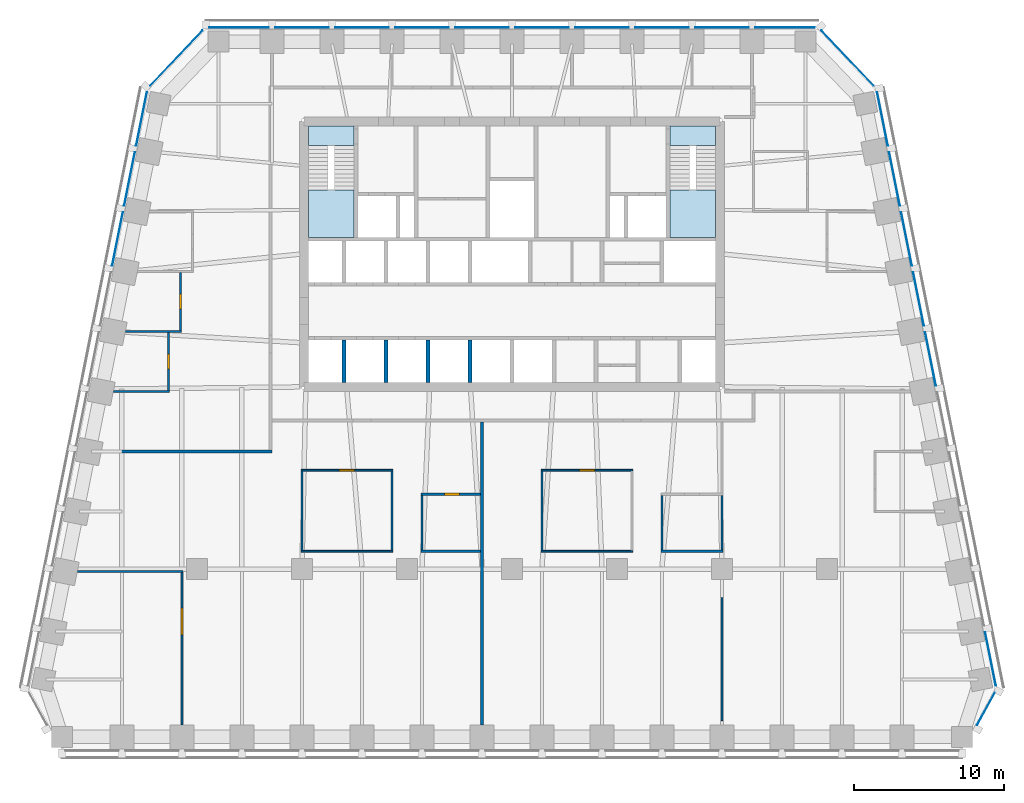
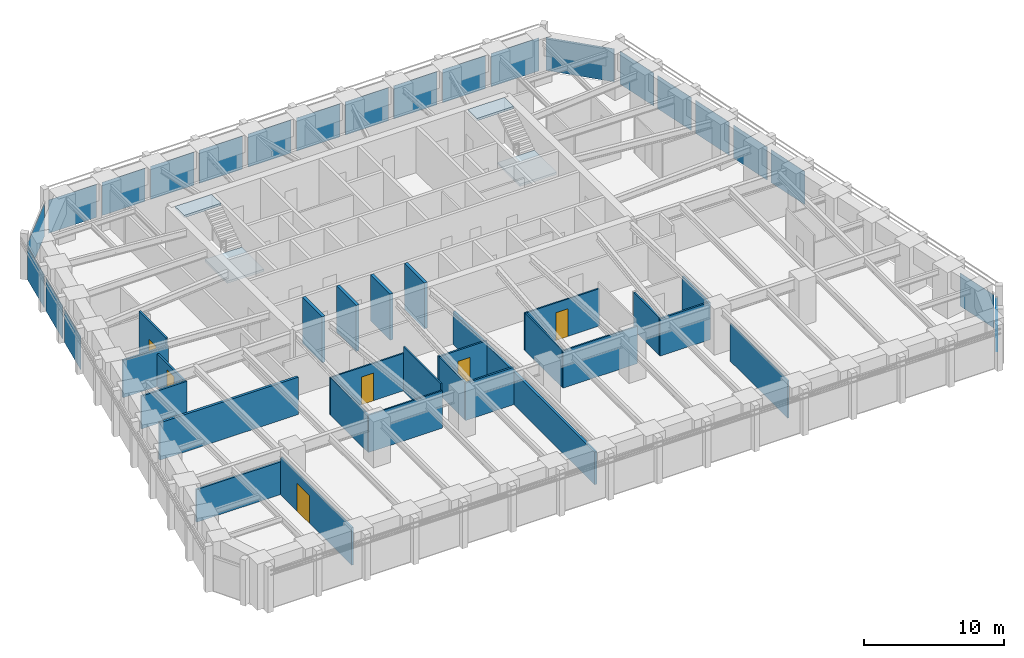
# One storey, part 5 of 10: 26 walls, 22 plates, 6 doors, 4 slabs, 6 openings, 8 elements without a shape of their own.
"""IFC4 building model written with IfcOpenShell, lengths in metres."""

from ifc_helpers import new_model, si_unit, direction, frame, frame_2d, origin, origin_2d, place, context, subcontext, project, spatial, polyline, rectangle, outline, extrude, material, layer, layer_set, type_object, element, fill, aggregate, save


model = new_model("IFC4")

# Units and contexts
model_context = context("Model", 3, precision=1e-05, world=origin(), true_north=direction((0.0, 1.0)))
body_context = subcontext(model_context, "Body", "Model", "MODEL_VIEW")
ifc_project = project(units=[si_unit("LENGTHUNIT", "METRE"), si_unit("AREAUNIT", "SQUARE_METRE"), si_unit("VOLUMEUNIT", "CUBIC_METRE"), si_unit("PLANEANGLEUNIT", "RADIAN"), si_unit("MASSUNIT", "GRAM", prefix="KILO")], contexts=[model_context])

# Site, building, storey
site_placement = place(None, origin())
site = spatial("IfcSite", under=ifc_project, at=site_placement, CompositionType="ELEMENT")
building_placement = place(site_placement, origin())
building = spatial("IfcBuilding", under=site, at=building_placement, Name="Isbrekke Arena Tower", CompositionType="ELEMENT")
storey_placement = place(building_placement, frame((0.0, 0.0, 226.0)))
storey = spatial("IfcBuildingStorey", under=building, at=storey_placement, Name="L52", CompositionType="ELEMENT", Elevation=226.0)

# Curtain wall, plate
ifc_material_1 = material(Name="Glazed aluminium curtain wall", Category="aluminium")
curtain_wall_type = type_object("IfcCurtainWallType", Name="CWH TOWER CURTAIN WALL HIGH ZONE", PredefinedType="USERDEFINED", material=ifc_material_1)
curtain_wall_1_placement = place(storey_placement, origin())
curtain_wall_1 = element("IfcCurtainWall", 1, at=curtain_wall_1_placement, inside=storey, type_object=curtain_wall_type, Name="CWH curtain wall L52-SE", ObjectType="TOWER CURTAIN WALL HIGH ZONE", PredefinedType="USERDEFINED")
ifc_material_2 = material(Name="Triple-glazed clear glass unit", Category="glass")
ifc_layer_1 = layer(ifc_material_2, 0.031982421875)
ifc_layer_set_1 = layer_set([ifc_layer_1], Name="CWH-P VISION PANEL")
plate_type = type_object("IfcPlateType", Name="CWH-P VISION PANEL", PredefinedType="CURTAIN_PANEL", material=ifc_layer_set_1)
plate_1_placement = place(storey_placement, frame((31.5908203125, -15.3154296875, 0.02001953125), z_axis=(0.0, 0.0, 1.0), x_axis=(0.481918749773, 0.876215908676, 0.0)))
plate_1 = element("IfcPlate", 2, at=plate_1_placement, type_object=plate_type, Name="CWH-P panel 1", PredefinedType="CURTAIN_PANEL", context=body_context, shape_type="SweptSolid", body=[
    extrude(rectangle(XDim=2.4423828125, YDim=0.031982421875, at=origin_2d()), origin(), (0.0, 0.0, 1.0), 2.8798828125),
])
aggregate(curtain_wall_1, [plate_1])

# Curtain wall, plates
curtain_wall_2_placement = place(storey_placement, origin())
curtain_wall_2 = element("IfcCurtainWall", 3, at=curtain_wall_2_placement, inside=storey, type_object=curtain_wall_type, Name="CWH curtain wall L52-E", ObjectType="TOWER CURTAIN WALL HIGH ZONE", PredefinedType="USERDEFINED")
plate_2_placement = place(storey_placement, frame((31.89794921875, -11.98046875, 0.02001953125), z_axis=(0.0, 0.0, 1.0), x_axis=(-0.196116135138, 0.980580675691, 0.0)))
plate_2 = element("IfcPlate", 4, at=plate_2_placement, type_object=plate_type, Name="CWH-P panel 1", PredefinedType="CURTAIN_PANEL", context=body_context, shape_type="SweptSolid", body=[
    extrude(rectangle(XDim=3.629150390625, YDim=0.031982421875, at=origin_2d()), origin(), (0.0, 0.0, 1.0), 2.8798828125),
])
plate_3_placement = place(storey_placement, frame((27.89794921875, 8.01953125, 0.02001953125), z_axis=(0.0, 0.0, 1.0), x_axis=(-0.196116135138, 0.980580675691, 0.0)))
plate_3 = element("IfcPlate", 5, at=plate_3_placement, type_object=plate_type, Name="CWH-P panel 6", PredefinedType="CURTAIN_PANEL", context=body_context, shape_type="SweptSolid", body=[
    extrude(rectangle(XDim=3.629150390625, YDim=0.031982421875, at=origin_2d()), origin(), (0.0, 0.0, 1.0), 2.8798828125),
])
plate_4_placement = place(storey_placement, frame((27.09814453125, 12.01953125, 0.02001953125), z_axis=(0.0, 0.0, 1.0), x_axis=(-0.196116135138, 0.980580675691, 0.0)))
plate_4 = element("IfcPlate", 6, at=plate_4_placement, type_object=plate_type, Name="CWH-P panel 7", PredefinedType="CURTAIN_PANEL", context=body_context, shape_type="SweptSolid", body=[
    extrude(rectangle(XDim=3.629150390625, YDim=0.031982421875, at=origin_2d()), origin(), (0.0, 0.0, 1.0), 2.8798828125),
])
plate_5_placement = place(storey_placement, frame((26.298095703125, 16.01953125, 0.02001953125), z_axis=(0.0, 0.0, 1.0), x_axis=(-0.196116135138, 0.980580675691, 0.0)))
plate_5 = element("IfcPlate", 7, at=plate_5_placement, type_object=plate_type, Name="CWH-P panel 8", PredefinedType="CURTAIN_PANEL", context=body_context, shape_type="SweptSolid", body=[
    extrude(rectangle(XDim=3.629150390625, YDim=0.031982421875, at=origin_2d()), origin(), (0.0, 0.0, 1.0), 2.8798828125),
])
plate_6_placement = place(storey_placement, frame((25.498046875, 20.01953125, 0.02001953125), z_axis=(0.0, 0.0, 1.0), x_axis=(-0.196116135138, 0.980580675691, 0.0)))
plate_6 = element("IfcPlate", 8, at=plate_6_placement, type_object=plate_type, Name="CWH-P panel 9", PredefinedType="CURTAIN_PANEL", context=body_context, shape_type="SweptSolid", body=[
    extrude(rectangle(XDim=3.629150390625, YDim=0.031982421875, at=origin_2d()), origin(), (0.0, 0.0, 1.0), 2.8798828125),
])
plate_7_placement = place(storey_placement, frame((24.697998046875, 24.01953125, 0.02001953125), z_axis=(0.0, 0.0, 1.0), x_axis=(-0.196116135138, 0.980580675691, 0.0)))
plate_7 = element("IfcPlate", 9, at=plate_7_placement, type_object=plate_type, Name="CWH-P panel 10", PredefinedType="CURTAIN_PANEL", context=body_context, shape_type="SweptSolid", body=[
    extrude(rectangle(XDim=3.629150390625, YDim=0.031982421875, at=origin_2d()), origin(), (0.0, 0.0, 1.0), 2.8798828125),
])
aggregate(curtain_wall_2, [plate_2, plate_3, plate_4, plate_5, plate_6, plate_7])

# Curtain wall, plate
curtain_wall_3_placement = place(storey_placement, origin())
curtain_wall_3 = element("IfcCurtainWall", 10, at=curtain_wall_3_placement, inside=storey, type_object=curtain_wall_type, Name="CWH curtain wall L52-EN", ObjectType="TOWER CURTAIN WALL HIGH ZONE", PredefinedType="USERDEFINED")
plate_8_placement = place(storey_placement, frame((22.37255859375, 28.06884765625, 0.02001953125), z_axis=(0.0, 0.0, 1.0), x_axis=(-0.68874946192, 0.72499943359, 0.0)))
plate_8 = element("IfcPlate", 11, at=plate_8_placement, type_object=plate_type, Name="CWH-P panel 1", PredefinedType="CURTAIN_PANEL", context=body_context, shape_type="SweptSolid", body=[
    extrude(rectangle(XDim=5.067138671875, YDim=0.031982421875, at=origin_2d()), origin(), (0.0, 0.0, 1.0), 2.8798828125),
])
aggregate(curtain_wall_3, [plate_8])

# Curtain wall, plates
curtain_wall_4_placement = place(storey_placement, origin())
curtain_wall_4 = element("IfcCurtainWall", 12, at=curtain_wall_4_placement, inside=storey, type_object=curtain_wall_type, Name="CWH curtain wall L52-N", ObjectType="TOWER CURTAIN WALL HIGH ZONE", PredefinedType="USERDEFINED")
plate_9_placement = place(storey_placement, frame((18.199951171875, 30.10009765625, 0.02001953125), z_axis=(0.0, 0.0, 1.0), x_axis=(-1.0, 0.0, 0.0)))
plate_9 = element("IfcPlate", 13, at=plate_9_placement, type_object=plate_type, Name="CWH-P panel 1", PredefinedType="CURTAIN_PANEL", context=body_context, shape_type="SweptSolid", body=[
    extrude(rectangle(XDim=3.949951171875, YDim=0.031982421875, at=origin_2d()), origin(), (0.0, 0.0, 1.0), 2.8798828125),
])
plate_10_placement = place(storey_placement, frame((14.0, 30.10009765625, 0.02001953125), z_axis=(0.0, 0.0, 1.0), x_axis=(-1.0, 0.0, 0.0)))
plate_10 = element("IfcPlate", 14, at=plate_10_placement, type_object=plate_type, Name="CWH-P panel 2", PredefinedType="CURTAIN_PANEL", context=body_context, shape_type="SweptSolid", body=[
    extrude(rectangle(XDim=3.550048828125, YDim=0.031982421875, at=origin_2d()), origin(), (0.0, 0.0, 1.0), 2.8798828125),
])
plate_11_placement = place(storey_placement, frame((10.0, 30.10009765625, 0.02001953125), z_axis=(0.0, 0.0, 1.0), x_axis=(-1.0, 0.0, 0.0)))
plate_11 = element("IfcPlate", 15, at=plate_11_placement, type_object=plate_type, Name="CWH-P panel 3", PredefinedType="CURTAIN_PANEL", context=body_context, shape_type="SweptSolid", body=[
    extrude(rectangle(XDim=3.550048828125, YDim=0.031982421875, at=origin_2d()), origin(), (0.0, 0.0, 1.0), 2.8798828125),
])
plate_12_placement = place(storey_placement, frame((6.0, 30.10009765625, 0.02001953125), z_axis=(0.0, 0.0, 1.0), x_axis=(-1.0, 0.0, 0.0)))
plate_12 = element("IfcPlate", 16, at=plate_12_placement, type_object=plate_type, Name="CWH-P panel 4", PredefinedType="CURTAIN_PANEL", context=body_context, shape_type="SweptSolid", body=[
    extrude(rectangle(XDim=3.550048828125, YDim=0.031982421875, at=origin_2d()), origin(), (0.0, 0.0, 1.0), 2.8798828125),
])
plate_13_placement = place(storey_placement, frame((2.0, 30.10009765625, 0.02001953125), z_axis=(0.0, 0.0, 1.0), x_axis=(-1.0, 0.0, 0.0)))
plate_13 = element("IfcPlate", 17, at=plate_13_placement, type_object=plate_type, Name="CWH-P panel 5", PredefinedType="CURTAIN_PANEL", context=body_context, shape_type="SweptSolid", body=[
    extrude(rectangle(XDim=3.550048828125, YDim=0.031982421875, at=origin_2d()), origin(), (0.0, 0.0, 1.0), 2.8798828125),
])
plate_14_placement = place(storey_placement, frame((-2.0, 30.10009765625, 0.02001953125), z_axis=(0.0, 0.0, 1.0), x_axis=(-1.0, 0.0, 0.0)))
plate_14 = element("IfcPlate", 18, at=plate_14_placement, type_object=plate_type, Name="CWH-P panel 6", PredefinedType="CURTAIN_PANEL", context=body_context, shape_type="SweptSolid", body=[
    extrude(rectangle(XDim=3.550048828125, YDim=0.031982421875, at=origin_2d()), origin(), (0.0, 0.0, 1.0), 2.8798828125),
])
plate_15_placement = place(storey_placement, frame((-6.0, 30.10009765625, 0.02001953125), z_axis=(0.0, 0.0, 1.0), x_axis=(-1.0, 0.0, 0.0)))
plate_15 = element("IfcPlate", 19, at=plate_15_placement, type_object=plate_type, Name="CWH-P panel 7", PredefinedType="CURTAIN_PANEL", context=body_context, shape_type="SweptSolid", body=[
    extrude(rectangle(XDim=3.550048828125, YDim=0.031982421875, at=origin_2d()), origin(), (0.0, 0.0, 1.0), 2.8798828125),
])
plate_16_placement = place(storey_placement, frame((-10.0, 30.10009765625, 0.02001953125), z_axis=(0.0, 0.0, 1.0), x_axis=(-1.0, 0.0, 0.0)))
plate_16 = element("IfcPlate", 20, at=plate_16_placement, type_object=plate_type, Name="CWH-P panel 8", PredefinedType="CURTAIN_PANEL", context=body_context, shape_type="SweptSolid", body=[
    extrude(rectangle(XDim=3.550048828125, YDim=0.031982421875, at=origin_2d()), origin(), (0.0, 0.0, 1.0), 2.8798828125),
])
plate_17_placement = place(storey_placement, frame((-14.0, 30.10009765625, 0.02001953125), z_axis=(0.0, 0.0, 1.0), x_axis=(-1.0, 0.0, 0.0)))
plate_17 = element("IfcPlate", 21, at=plate_17_placement, type_object=plate_type, Name="CWH-P panel 9", PredefinedType="CURTAIN_PANEL", context=body_context, shape_type="SweptSolid", body=[
    extrude(rectangle(XDim=3.550048828125, YDim=0.031982421875, at=origin_2d()), origin(), (0.0, 0.0, 1.0), 2.8798828125),
])
plate_18_placement = place(storey_placement, frame((-18.199951171875, 30.10009765625, 0.02001953125), z_axis=(0.0, 0.0, 1.0), x_axis=(-1.0, 0.0, 0.0)))
plate_18 = element("IfcPlate", 22, at=plate_18_placement, type_object=plate_type, Name="CWH-P panel 10", PredefinedType="CURTAIN_PANEL", context=body_context, shape_type="SweptSolid", body=[
    extrude(rectangle(XDim=3.949951171875, YDim=0.031982421875, at=origin_2d()), origin(), (0.0, 0.0, 1.0), 2.8798828125),
])
aggregate(curtain_wall_4, [plate_9, plate_10, plate_11, plate_12, plate_13, plate_14, plate_15, plate_16, plate_17, plate_18])

# Curtain wall, plate
curtain_wall_5_placement = place(storey_placement, origin())
curtain_wall_5 = element("IfcCurtainWall", 23, at=curtain_wall_5_placement, inside=storey, type_object=curtain_wall_type, Name="CWH curtain wall L52-NW", ObjectType="TOWER CURTAIN WALL HIGH ZONE", PredefinedType="USERDEFINED")
plate_19_placement = place(storey_placement, frame((-22.37255859375, 28.06884765625, 0.02001953125), z_axis=(0.0, 0.0, 1.0), x_axis=(-0.68874946192, -0.72499943359, 0.0)))
plate_19 = element("IfcPlate", 24, at=plate_19_placement, type_object=plate_type, Name="CWH-P panel 1", PredefinedType="CURTAIN_PANEL", context=body_context, shape_type="SweptSolid", body=[
    extrude(rectangle(XDim=5.067138671875, YDim=0.031982421875, at=origin_2d()), origin(), (0.0, 0.0, 1.0), 2.8798828125),
])
aggregate(curtain_wall_5, [plate_19])

# Curtain wall, plates
curtain_wall_6_placement = place(storey_placement, origin())
curtain_wall_6 = element("IfcCurtainWall", 25, at=curtain_wall_6_placement, inside=storey, type_object=curtain_wall_type, Name="CWH curtain wall L52-W", ObjectType="TOWER CURTAIN WALL HIGH ZONE", PredefinedType="USERDEFINED")
plate_20_placement = place(storey_placement, frame((-24.697998046875, 24.01953125, 0.02001953125), z_axis=(0.0, 0.0, 1.0), x_axis=(-0.196116135138, -0.980580675691, 0.0)))
plate_20 = element("IfcPlate", 26, at=plate_20_placement, type_object=plate_type, Name="CWH-P panel 1", PredefinedType="CURTAIN_PANEL", context=body_context, shape_type="SweptSolid", body=[
    extrude(rectangle(XDim=3.629150390625, YDim=0.031982421875, at=origin_2d()), origin(), (0.0, 0.0, 1.0), 2.8798828125),
])
plate_21_placement = place(storey_placement, frame((-25.498046875, 20.01953125, 0.02001953125), z_axis=(0.0, 0.0, 1.0), x_axis=(-0.196116135138, -0.980580675691, 0.0)))
plate_21 = element("IfcPlate", 27, at=plate_21_placement, type_object=plate_type, Name="CWH-P panel 2", PredefinedType="CURTAIN_PANEL", context=body_context, shape_type="SweptSolid", body=[
    extrude(rectangle(XDim=3.629150390625, YDim=0.031982421875, at=origin_2d()), origin(), (0.0, 0.0, 1.0), 2.8798828125),
])
plate_22_placement = place(storey_placement, frame((-26.298095703125, 16.01953125, 0.02001953125), z_axis=(0.0, 0.0, 1.0), x_axis=(-0.196116135138, -0.980580675691, 0.0)))
plate_22 = element("IfcPlate", 28, at=plate_22_placement, type_object=plate_type, Name="CWH-P panel 3", PredefinedType="CURTAIN_PANEL", context=body_context, shape_type="SweptSolid", body=[
    extrude(rectangle(XDim=3.629150390625, YDim=0.031982421875, at=origin_2d()), origin(), (0.0, 0.0, 1.0), 2.8798828125),
])
aggregate(curtain_wall_6, [plate_20, plate_21, plate_22])

# Stair, slabs
ifc_material_3 = material(Name="Concrete B45 (C45/55) precast", Category="concrete")
stair_type = type_object("IfcStairType", Name="ST40 STAIR 1300 WIDE, 24 RISERS 167", PredefinedType="HALF_TURN_STAIR", material=ifc_material_3)
stair_1_placement = place(storey_placement, origin())
stair_1 = element("IfcStair", 29, at=stair_1_placement, inside=storey, type_object=stair_type, Name="ST1 stair L52", PredefinedType="HALF_TURN_STAIR")
ifc_material_4 = material(Name="Concrete B35 (C35/45)", Category="concrete")
ifc_layer_2 = layer(ifc_material_4, 0.199951171875)
ifc_layer_set_2 = layer_set([ifc_layer_2], Name="SL1 STAIR LANDING 200")
slab_type = type_object("IfcSlabType", Name="SL1 STAIR LANDING 200", PredefinedType="LANDING", material=ifc_layer_set_2)
slab_1_placement = place(storey_placement, frame((0.0, 0.0, 1.800048828125)))
slab_1 = element("IfcSlab", 30, at=slab_1_placement, type_object=slab_type, Name="ST1 landing 1", PredefinedType="LANDING", context=body_context, shape_type="SweptSolid", body=[
    extrude(outline(polyline([(-13.550048828125, 16.125), (-10.52490234375, 16.125), (-10.52490234375, 19.280029296875), (-13.550048828125, 19.280029296875), (-13.550048828125, 16.125)])), origin(), (0.0, 0.0, 1.0), 0.199951171875),
])
slab_2_placement = place(storey_placement, frame((0.0, 0.0, 3.800048828125)))
slab_2 = element("IfcSlab", 31, at=slab_2_placement, type_object=slab_type, Name="ST1 landing 2", PredefinedType="LANDING", context=body_context, shape_type="SweptSolid", body=[
    extrude(outline(polyline([(-13.550048828125, 22.25), (-10.52490234375, 22.25), (-10.52490234375, 23.550048828125), (-13.550048828125, 23.550048828125), (-13.550048828125, 22.25)])), origin(), (0.0, 0.0, 1.0), 0.199951171875),
])
aggregate(stair_1, [slab_1, slab_2])

stair_2_placement = place(storey_placement, origin())
stair_2 = element("IfcStair", 32, at=stair_2_placement, inside=storey, type_object=stair_type, Name="ST2 stair L52", PredefinedType="HALF_TURN_STAIR")
slab_3_placement = place(storey_placement, frame((0.0, 0.0, 1.800048828125)))
slab_3 = element("IfcSlab", 33, at=slab_3_placement, type_object=slab_type, Name="ST2 landing 1", PredefinedType="LANDING", context=body_context, shape_type="SweptSolid", body=[
    extrude(outline(polyline([(10.52490234375, 16.125), (13.550048828125, 16.125), (13.550048828125, 19.280029296875), (10.52490234375, 19.280029296875), (10.52490234375, 16.125)])), origin(), (0.0, 0.0, 1.0), 0.199951171875),
])
slab_4_placement = place(storey_placement, frame((0.0, 0.0, 3.800048828125)))
slab_4 = element("IfcSlab", 34, at=slab_4_placement, type_object=slab_type, Name="ST2 landing 2", PredefinedType="LANDING", context=body_context, shape_type="SweptSolid", body=[
    extrude(outline(polyline([(10.52490234375, 22.25), (13.550048828125, 22.25), (13.550048828125, 23.550048828125), (10.52490234375, 23.550048828125), (10.52490234375, 22.25)])), origin(), (0.0, 0.0, 1.0), 0.199951171875),
])
aggregate(stair_2, [slab_3, slab_4])

# Walls
ifc_material_5 = material(Name="Concrete B45 (C45/55)", Category="concrete")
ifc_layer_3 = layer(ifc_material_5, 0.25)
ifc_layer_set_3 = layer_set([ifc_layer_3], Name="CW6 SHAFT WALL 250")
wall_type_1 = type_object("IfcWallType", Name="CW6 SHAFT WALL 250", PredefinedType="SHEAR", material=ifc_layer_set_3)
for number, where, z_axis, x_axis, name in (
    (35, (-11.199951171875, 6.449951171875, 0.0), (0.0, 0.0, 1.0), (0.0, 1.0, 0.0), "Core wall SS01 L52"),
    (36, (-8.39990234375, 6.449951171875, 0.0), (0.0, 0.0, 1.0), (0.0, 1.0, 0.0), "Core wall SS02 L52"),
    (37, (-5.60009765625, 6.449951171875, 0.0), (0.0, 0.0, 1.0), (0.0, 1.0, 0.0), "Core wall SS03 L52"),
    (38, (-2.800048828125, 6.449951171875, 0.0), (0.0, 0.0, 1.0), (0.0, 1.0, 0.0), "Core wall SS04 L52"),
):
    element("IfcWall", number, at=place(storey_placement, frame(where, z_axis=z_axis, x_axis=x_axis)), inside=storey, type_object=wall_type_1, Name=name, PredefinedType="SHEAR", context=body_context, shape_type="SweptSolid", body=[
        extrude(rectangle(XDim=2.824951171875, YDim=0.25, at=frame_2d((1.41259765625, 0.0))), origin(), (0.0, 0.0, 1.0), 4.0),
    ])
ifc_material_6 = material(Name="Gypsum board partition on steel studs", Category="steel")
ifc_layer_4 = layer(ifc_material_6, 0.14990234375)
ifc_layer_set_4 = layer_set([ifc_layer_4], Name="IW1 PARTITION 150")
wall_type_2 = type_object("IfcWallType", Name="IW1 PARTITION 150", PredefinedType="PARTITIONING", material=ifc_layer_set_4)
wall_1_placement = place(storey_placement, frame((-28.974853515625, -6.159912109375, 0.0), z_axis=(0.0, 0.0, 1.0), x_axis=(1.0, 0.0, 0.0)))
element("IfcWall", 39, at=wall_1_placement, inside=storey, type_object=wall_type_2, Name="IW1 partition 150 L52", PredefinedType="PARTITIONING", context=body_context, shape_type="SweptSolid", body=[
    extrude(rectangle(XDim=7.0498046875, YDim=0.14990234375, at=frame_2d((3.52490234375, 0.0))), origin(), (0.0, 0.0, 1.0), 2.842041015625),
])
wall_2_placement = place(storey_placement, frame((-6.074951171875, -4.800048828125, 0.0), z_axis=(0.0, 0.0, 1.0), x_axis=(1.0, 0.0, 0.0)))
element("IfcWall", 40, at=wall_2_placement, inside=storey, type_object=wall_type_2, Name="IW1 partition 150 L52", PredefinedType="PARTITIONING", context=body_context, shape_type="SweptSolid", body=[
    extrude(rectangle(XDim=3.974853515625, YDim=0.14990234375, at=frame_2d((1.9873046875, 0.0))), origin(), (0.0, 0.0, 1.0), 3.25),
])
wall_3_placement = place(storey_placement, frame((9.925048828125, -4.800048828125, 0.0), z_axis=(0.0, 0.0, 1.0), x_axis=(1.0, 0.0, 0.0)))
element("IfcWall", 41, at=wall_3_placement, inside=storey, type_object=wall_type_2, Name="IW1 partition 150 L52", PredefinedType="PARTITIONING", context=body_context, shape_type="SweptSolid", body=[
    extrude(rectangle(XDim=4.14990234375, YDim=0.14990234375, at=frame_2d((2.074951171875, 0.0))), origin(), (0.0, 0.0, 1.0), 3.25),
])

# Wall, opening, door
wall_4_placement = place(storey_placement, frame((-6.074951171875, -1.0, 0.0), z_axis=(0.0, 0.0, 1.0), x_axis=(1.0, 0.0, 0.0)))
wall_4 = element("IfcWall", 42, at=wall_4_placement, inside=storey, type_object=wall_type_2, Name="IW1 partition 150 L52", PredefinedType="PARTITIONING", context=body_context, shape_type="SweptSolid", body=[
    extrude(rectangle(XDim=3.974853515625, YDim=0.14990234375, at=frame_2d((1.9873046875, 0.0))), origin(), (0.0, 0.0, 1.0), 3.25),
])
opening_1_placement = place(wall_4_placement, frame((1.574951171875, 0.0, 0.0)))
opening_1 = element("IfcOpeningElement", 43, at=opening_1_placement, cuts=wall_4, Name="Opening D10", PredefinedType="OPENING", context=body_context, shape_type="SweptSolid", body=[
    extrude(rectangle(XDim=1.0, YDim=2.300048828125, at=frame_2d((0.5, 1.14990234375))), frame((0.0, 0.08984375, 0.0), z_axis=(0.0, -1.0, 0.0), x_axis=(1.0, 0.0, 0.0)), (0.0, 0.0, 1.0), 0.1796875),
])
ifc_material_7 = material(Name="Timber door", Category="wood")
door_type_1 = type_object("IfcDoorType", Name="D10 OFFICE DOOR 1000 x 2300", OperationType="SINGLE_SWING_LEFT", PredefinedType="DOOR", material=ifc_material_7)
door_1_placement = place(opening_1_placement, origin())
door_1 = element("IfcDoor", 44, at=door_1_placement, inside=storey, type_object=door_type_1, Name="D10 tea point door L52", OperationType="SINGLE_SWING_LEFT", OverallHeight=2.300048828125, OverallWidth=1.0, PredefinedType="DOOR", context=body_context, shape_type="SweptSolid", body=[
    extrude(rectangle(XDim=1.0, YDim=2.300048828125, at=frame_2d((0.5, 1.14990234375))), frame((0.0, 0.07470703125, 0.0), z_axis=(0.0, -1.0, 0.0), x_axis=(1.0, 0.0, 0.0)), (0.0, 0.0, 1.0), 0.1494140625),
])
fill(opening_1, door_1)

# Walls
wall_5_placement = place(storey_placement, frame((-26.57470703125, 5.840087890625, 0.0), z_axis=(0.0, 0.0, 1.0), x_axis=(1.0, 0.0, 0.0)))
element("IfcWall", 45, at=wall_5_placement, inside=storey, type_object=wall_type_2, Name="IW1 partition 150 L52", PredefinedType="PARTITIONING", context=body_context, shape_type="SweptSolid", body=[
    extrude(rectangle(XDim=3.749755859375, YDim=0.14990234375, at=frame_2d((1.875, 0.0))), origin(), (0.0, 0.0, 1.0), 2.842041015625),
])
wall_6_placement = place(storey_placement, frame((-25.77490234375, 9.840087890625, 0.0), z_axis=(0.0, 0.0, 1.0), x_axis=(1.0, 0.0, 0.0)))
element("IfcWall", 46, at=wall_6_placement, inside=storey, type_object=wall_type_2, Name="IW1 partition 150 L52", PredefinedType="PARTITIONING", context=body_context, shape_type="SweptSolid", body=[
    extrude(rectangle(XDim=3.75, YDim=0.14990234375, at=frame_2d((1.875, 0.0))), origin(), (0.0, 0.0, 1.0), 3.25),
])

# Wall, opening, door
wall_7_placement = place(storey_placement, frame((-22.89990234375, 5.9150390625, 0.0), z_axis=(0.0, 0.0, 1.0), x_axis=(0.0, 1.0, 0.0)))
wall_7 = element("IfcWall", 47, at=wall_7_placement, inside=storey, type_object=wall_type_2, Name="IW1 partition 150 L52", PredefinedType="PARTITIONING", context=body_context, shape_type="SweptSolid", body=[
    extrude(rectangle(XDim=3.849853515625, YDim=0.14990234375, at=frame_2d((1.9248046875, 0.0))), origin(), (0.0, 0.0, 1.0), 2.842041015625),
])
opening_2_placement = place(wall_7_placement, frame((1.425048828125, 0.0, 0.0)))
opening_2 = element("IfcOpeningElement", 48, at=opening_2_placement, cuts=wall_7, Name="Opening D10", PredefinedType="OPENING", context=body_context, shape_type="SweptSolid", body=[
    extrude(rectangle(XDim=1.0, YDim=2.300048828125, at=frame_2d((0.5, 1.14990234375))), frame((0.0, 0.08984375, 0.0), z_axis=(0.0, -1.0, 0.0), x_axis=(1.0, 0.0, 0.0)), (0.0, 0.0, 1.0), 0.1796875),
])
door_2_placement = place(opening_2_placement, origin())
door_2 = element("IfcDoor", 49, at=door_2_placement, inside=storey, type_object=door_type_1, Name="D10 office door L52", OperationType="SINGLE_SWING_LEFT", OverallHeight=2.300048828125, OverallWidth=1.0, PredefinedType="DOOR", context=body_context, shape_type="SweptSolid", body=[
    extrude(rectangle(XDim=1.0, YDim=2.300048828125, at=frame_2d((0.5, 1.14990234375))), frame((0.0, 0.07470703125, 0.0), z_axis=(0.0, -1.0, 0.0), x_axis=(1.0, 0.0, 0.0)), (0.0, 0.0, 1.0), 0.1494140625),
])
fill(opening_2, door_2)

wall_8_placement = place(storey_placement, frame((-22.10009765625, 9.9150390625, 0.0), z_axis=(0.0, 0.0, 1.0), x_axis=(0.0, 1.0, 0.0)))
wall_8 = element("IfcWall", 50, at=wall_8_placement, inside=storey, type_object=wall_type_2, Name="IW1 partition 150 L52", PredefinedType="PARTITIONING", context=body_context, shape_type="SweptSolid", body=[
    extrude(rectangle(XDim=3.849853515625, YDim=0.14990234375, at=frame_2d((1.9248046875, 0.0))), origin(), (0.0, 0.0, 1.0), 3.85009765625),
])
opening_3_placement = place(wall_8_placement, frame((1.425048828125, 0.0, 0.0)))
opening_3 = element("IfcOpeningElement", 51, at=opening_3_placement, cuts=wall_8, Name="Opening D10", PredefinedType="OPENING", context=body_context, shape_type="SweptSolid", body=[
    extrude(rectangle(XDim=1.0, YDim=2.300048828125, at=frame_2d((0.5, 1.14990234375))), frame((0.0, 0.08984375, 0.0), z_axis=(0.0, -1.0, 0.0), x_axis=(1.0, 0.0, 0.0)), (0.0, 0.0, 1.0), 0.1796875),
])
door_3_placement = place(opening_3_placement, origin())
door_3 = element("IfcDoor", 52, at=door_3_placement, inside=storey, type_object=door_type_1, Name="D10 office door L52", OperationType="SINGLE_SWING_LEFT", OverallHeight=2.300048828125, OverallWidth=1.0, PredefinedType="DOOR", context=body_context, shape_type="SweptSolid", body=[
    extrude(rectangle(XDim=1.0, YDim=2.300048828125, at=frame_2d((0.5, 1.14990234375))), frame((0.0, 0.07470703125, 0.0), z_axis=(0.0, -1.0, 0.0), x_axis=(1.0, 0.0, 0.0)), (0.0, 0.0, 1.0), 0.1494140625),
])
fill(opening_3, door_3)

wall_9_placement = place(storey_placement, frame((-22.0, -16.375, 0.0), z_axis=(0.0, 0.0, 1.0), x_axis=(0.0, 1.0, 0.0)))
wall_9 = element("IfcWall", 53, at=wall_9_placement, inside=storey, type_object=wall_type_2, Name="IW1 partition 150 L52", PredefinedType="PARTITIONING", context=body_context, shape_type="SweptSolid", body=[
    extrude(rectangle(XDim=10.139892578125, YDim=0.14990234375, at=frame_2d((5.06982421875, 0.0))), origin(), (0.0, 0.0, 1.0), 3.25),
])
opening_4_placement = place(wall_9_placement, frame((5.97509765625, 0.0, 0.0)))
opening_4 = element("IfcOpeningElement", 54, at=opening_4_placement, cuts=wall_9, Name="Opening D13", PredefinedType="OPENING", context=body_context, shape_type="SweptSolid", body=[
    extrude(rectangle(XDim=1.800048828125, YDim=2.39990234375, at=frame_2d((0.89990234375, 1.199951171875))), frame((0.0, 0.08984375, 0.0), z_axis=(0.0, -1.0, 0.0), x_axis=(1.0, 0.0, 0.0)), (0.0, 0.0, 1.0), 0.1796875),
])
ifc_material_8 = material(Name="Timber door pair", Category="wood")
door_type_2 = type_object("IfcDoorType", Name="D13 DOUBLE ROOM DOOR 1800 x 2400", OperationType="DOUBLE_DOOR_SINGLE_SWING", PredefinedType="DOOR", material=ifc_material_8)
door_4_placement = place(opening_4_placement, origin())
door_4 = element("IfcDoor", 55, at=door_4_placement, inside=storey, type_object=door_type_2, Name="D13 office door L52", OperationType="DOUBLE_DOOR_SINGLE_SWING", OverallHeight=2.39990234375, OverallWidth=1.800048828125, PredefinedType="DOOR", context=body_context, shape_type="SweptSolid", body=[
    extrude(rectangle(XDim=1.800048828125, YDim=2.39990234375, at=frame_2d((0.89990234375, 1.199951171875))), frame((0.0, 0.07470703125, 0.0), z_axis=(0.0, -1.0, 0.0), x_axis=(1.0, 0.0, 0.0)), (0.0, 0.0, 1.0), 0.1494140625),
])
fill(opening_4, door_4)

# Walls
for number, where, z_axis, x_axis, name in (
    (56, (-6.0, -4.72509765625, 0.0), (0.0, 0.0, 1.0), (0.0, 1.0, 0.0), "IW1 partition 150 L52"),
    (57, (10.0, -4.72509765625, 0.0), (0.0, 0.0, 1.0), (0.0, 1.0, 0.0), "IW1 partition 150 L52"),
    (58, (14.0, -4.72509765625, 0.0), (0.0, 0.0, 1.0), (0.0, 1.0, 0.0), "IW1 partition 150 L52"),
):
    element("IfcWall", number, at=place(storey_placement, frame(where, z_axis=z_axis, x_axis=x_axis)), inside=storey, type_object=wall_type_2, Name=name, PredefinedType="PARTITIONING", context=body_context, shape_type="SweptSolid", body=[
        extrude(rectangle(XDim=3.650146484375, YDim=0.14990234375, at=frame_2d((1.8251953125, 0.0))), origin(), (0.0, 0.0, 1.0), 3.25),
    ])
ifc_material_9 = material(Name="Frameless glazed partition, laminated acoustic glass", Category="glass")
ifc_layer_5 = layer(ifc_material_9, 0.1201171875)
ifc_layer_set_5 = layer_set([ifc_layer_5], Name="IW2 GLAZED PARTITION 120")
wall_type_3 = type_object("IfcWallType", Name="IW2 GLAZED PARTITION 120", PredefinedType="PARTITIONING", material=ifc_layer_set_5)
for number, where, z_axis, x_axis, name in (
    (59, (-14.06005859375, -4.800048828125, 0.0), (0.0, 0.0, 1.0), (1.0, 0.0, 0.0), "IW2 glazed partition 120 L52"),
    (60, (1.93994140625, -4.800048828125, 0.0), (0.0, 0.0, 1.0), (1.0, 0.0, 0.0), "IW2 glazed partition 120 L52"),
):
    element("IfcWall", number, at=place(storey_placement, frame(where, z_axis=z_axis, x_axis=x_axis)), inside=storey, type_object=wall_type_3, Name=name, PredefinedType="PARTITIONING", context=body_context, shape_type="SweptSolid", body=[
        extrude(rectangle(XDim=6.1201171875, YDim=0.1201171875, at=frame_2d((3.06005859375, 0.0))), origin(), (0.0, 0.0, 1.0), 3.25),
    ])

# Wall, opening, door
wall_10_placement = place(storey_placement, frame((-14.06005859375, 0.60009765625, 0.0), z_axis=(0.0, 0.0, 1.0), x_axis=(1.0, 0.0, 0.0)))
wall_10 = element("IfcWall", 61, at=wall_10_placement, inside=storey, type_object=wall_type_3, Name="IW2 glazed partition 120 L52", PredefinedType="PARTITIONING", context=body_context, shape_type="SweptSolid", body=[
    extrude(rectangle(XDim=6.1201171875, YDim=0.1201171875, at=frame_2d((3.06005859375, 0.0))), origin(), (0.0, 0.0, 1.0), 3.25),
])
opening_5_placement = place(wall_10_placement, frame((2.56005859375, 0.0, 0.0)))
opening_5 = element("IfcOpeningElement", 62, at=opening_5_placement, cuts=wall_10, Name="Opening D11", PredefinedType="OPENING", context=body_context, shape_type="SweptSolid", body=[
    extrude(rectangle(XDim=1.0, YDim=2.39990234375, at=frame_2d((0.5, 1.199951171875))), frame((0.0, 0.074951171875, 0.0), z_axis=(0.0, -1.0, 0.0), x_axis=(1.0, 0.0, 0.0)), (0.0, 0.0, 1.0), 0.14990234375),
])
ifc_material_10 = material(Name="Frameless glazed door", Category="glass")
door_type_3 = type_object("IfcDoorType", Name="D11 GLAZED MEETING ROOM DOOR 1000 x 2400", OperationType="SINGLE_SWING_RIGHT", PredefinedType="DOOR", material=ifc_material_10)
door_5_placement = place(opening_5_placement, origin())
door_5 = element("IfcDoor", 63, at=door_5_placement, inside=storey, type_object=door_type_3, Name="D11 meeting room door L52", OperationType="SINGLE_SWING_RIGHT", OverallHeight=2.39990234375, OverallWidth=1.0, PredefinedType="DOOR", context=body_context, shape_type="SweptSolid", body=[
    extrude(rectangle(XDim=1.0, YDim=2.39990234375, at=frame_2d((0.5, 1.199951171875))), frame((0.0, 0.059814453125, 0.0), z_axis=(0.0, -1.0, 0.0), x_axis=(1.0, 0.0, 0.0)), (0.0, 0.0, 1.0), 0.11962890625),
])
fill(opening_5, door_5)

wall_11_placement = place(storey_placement, frame((1.93994140625, 0.60009765625, 0.0), z_axis=(0.0, 0.0, 1.0), x_axis=(1.0, 0.0, 0.0)))
wall_11 = element("IfcWall", 64, at=wall_11_placement, inside=storey, type_object=wall_type_3, Name="IW2 glazed partition 120 L52", PredefinedType="PARTITIONING", context=body_context, shape_type="SweptSolid", body=[
    extrude(rectangle(XDim=6.1201171875, YDim=0.1201171875, at=frame_2d((3.06005859375, 0.0))), origin(), (0.0, 0.0, 1.0), 3.25),
])
opening_6_placement = place(wall_11_placement, frame((2.56005859375, 0.0, 0.0)))
opening_6 = element("IfcOpeningElement", 65, at=opening_6_placement, cuts=wall_11, Name="Opening D11", PredefinedType="OPENING", context=body_context, shape_type="SweptSolid", body=[
    extrude(rectangle(XDim=1.0, YDim=2.39990234375, at=frame_2d((0.5, 1.199951171875))), frame((0.0, 0.074951171875, 0.0), z_axis=(0.0, -1.0, 0.0), x_axis=(1.0, 0.0, 0.0)), (0.0, 0.0, 1.0), 0.14990234375),
])
door_6_placement = place(opening_6_placement, origin())
door_6 = element("IfcDoor", 66, at=door_6_placement, inside=storey, type_object=door_type_3, Name="D11 meeting room door L52", OperationType="SINGLE_SWING_RIGHT", OverallHeight=2.39990234375, OverallWidth=1.0, PredefinedType="DOOR", context=body_context, shape_type="SweptSolid", body=[
    extrude(rectangle(XDim=1.0, YDim=2.39990234375, at=frame_2d((0.5, 1.199951171875))), frame((0.0, 0.059814453125, 0.0), z_axis=(0.0, -1.0, 0.0), x_axis=(1.0, 0.0, 0.0)), (0.0, 0.0, 1.0), 0.11962890625),
])
fill(opening_6, door_6)

# Walls
wall_12_placement = place(storey_placement, frame((-14.0, -4.739990234375, 0.0), z_axis=(0.0, 0.0, 1.0), x_axis=(0.0, 1.0, 0.0)))
element("IfcWall", 67, at=wall_12_placement, inside=storey, type_object=wall_type_3, Name="IW2 glazed partition 120 L52", PredefinedType="PARTITIONING", context=body_context, shape_type="SweptSolid", body=[
    extrude(rectangle(XDim=5.280029296875, YDim=0.1201171875, at=frame_2d((2.64013671875, 0.0))), origin(), (0.0, 0.0, 1.0), 3.25),
])
wall_13_placement = place(storey_placement, frame((-8.0, -4.739990234375, 0.0), z_axis=(0.0, 0.0, 1.0), x_axis=(0.0, 1.0, 0.0)))
element("IfcWall", 68, at=wall_13_placement, inside=storey, type_object=wall_type_3, Name="IW2 glazed partition 120 L52", PredefinedType="PARTITIONING", context=body_context, shape_type="SweptSolid", body=[
    extrude(rectangle(XDim=5.280029296875, YDim=0.1201171875, at=frame_2d((2.64013671875, 0.0))), origin(), (0.0, 0.0, 1.0), 3.85009765625),
])
wall_14_placement = place(storey_placement, frame((2.0, -4.739990234375, 0.0), z_axis=(0.0, 0.0, 1.0), x_axis=(0.0, 1.0, 0.0)))
element("IfcWall", 69, at=wall_14_placement, inside=storey, type_object=wall_type_3, Name="IW2 glazed partition 120 L52", PredefinedType="PARTITIONING", context=body_context, shape_type="SweptSolid", body=[
    extrude(rectangle(XDim=5.280029296875, YDim=0.1201171875, at=frame_2d((2.64013671875, 0.0))), origin(), (0.0, 0.0, 1.0), 3.25),
])
wall_15_placement = place(storey_placement, frame((14.0009765625, -16.10009765625, 0.0), z_axis=(0.0, 0.0, 1.0), x_axis=(0.0, 1.0, 0.0)))
element("IfcWall", 70, at=wall_15_placement, inside=storey, type_object=wall_type_3, Name="IW2 glazed partition 120 L52", PredefinedType="PARTITIONING", context=body_context, shape_type="SweptSolid", body=[
    extrude(rectangle(XDim=8.2001953125, YDim=0.1201171875, at=frame_2d((4.10009765625, 0.0))), origin(), (0.0, 0.0, 1.0), 3.25),
])
ifc_material_11 = material(Name="Gypsum board fire-cell wall on steel studs, two layers each side", Category="steel")
ifc_layer_6 = layer(ifc_material_11, 0.199951171875)
ifc_layer_set_6 = layer_set([ifc_layer_6], Name="IW3 FIRE-CELL WALL 200")
wall_type_4 = type_object("IfcWallType", Name="IW3 FIRE-CELL WALL 200", PredefinedType="PARTITIONING", material=ifc_layer_set_6)
wall_16_placement = place(storey_placement, frame((-27.374755859375, 1.840087890625, 0.0), z_axis=(0.0, 0.0, 1.0), x_axis=(1.0, 0.0, 0.0)))
element("IfcWall", 71, at=wall_16_placement, inside=storey, type_object=wall_type_4, Name="IW3 fire-cell wall 200 L52", PredefinedType="PARTITIONING", context=body_context, shape_type="SweptSolid", body=[
    extrude(rectangle(XDim=11.374755859375, YDim=0.199951171875, at=frame_2d((5.6875, 0.0))), origin(), (0.0, 0.0, 1.0), 3.25),
])
wall_17_placement = place(storey_placement, frame((-2.0, -16.375, 0.0), z_axis=(0.0, 0.0, 1.0), x_axis=(0.0, 1.0, 0.0)))
element("IfcWall", 72, at=wall_17_placement, inside=storey, type_object=wall_type_4, Name="IW3 fire-cell wall 200 L52", PredefinedType="PARTITIONING", context=body_context, shape_type="SweptSolid", body=[
    extrude(rectangle(XDim=20.175048828125, YDim=0.199951171875, at=frame_2d((10.08740234375, 0.0))), origin(), (0.0, 0.0, 1.0), 2.842041015625),
])

save(model, "model.ifc")
